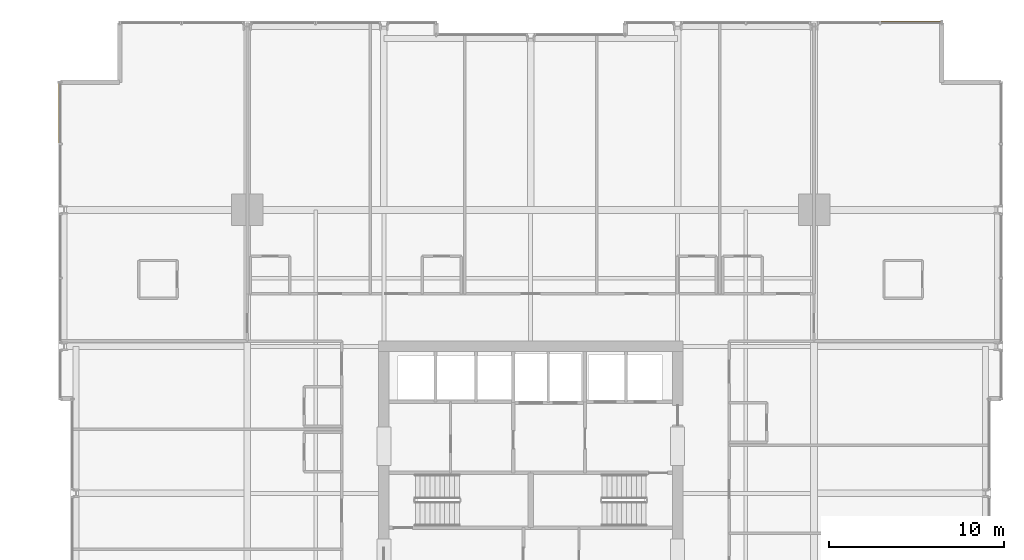
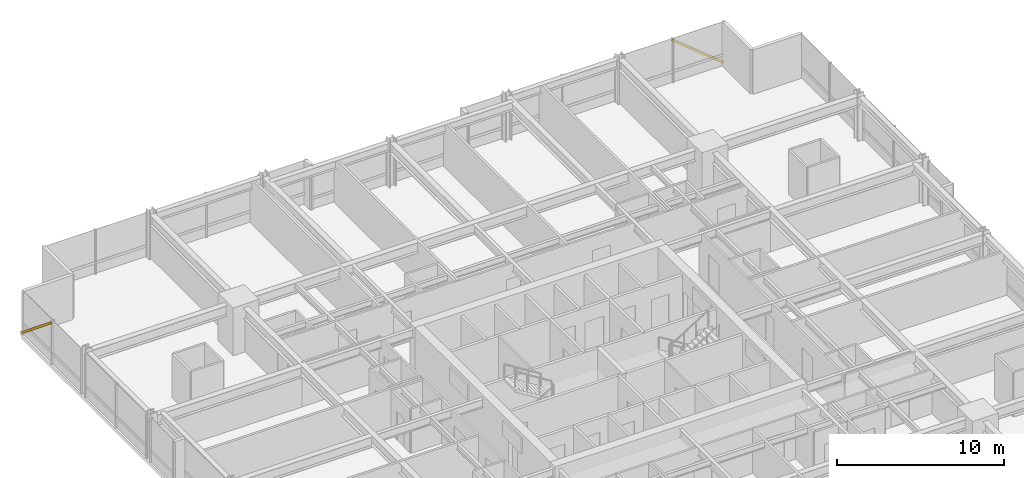
# One storey, part 38 of 38: 2 shading devices.
"""IFC4 building model written with IfcOpenShell, lengths in metres."""

from ifc_helpers import new_model, si_unit, direction, frame, origin, origin_2d, place, context, subcontext, project, spatial, hollow_rectangle, extrude, material, material_profile, profile_set, type_object, element, save


model = new_model("IFC4")

# Units and contexts
model_context = context("Model", 3, precision=1e-05, world=origin(), true_north=direction((0.0, 1.0)))
body_context = subcontext(model_context, "Body", "Model", "MODEL_VIEW")
ifc_project = project(units=[si_unit("LENGTHUNIT", "METRE"), si_unit("AREAUNIT", "SQUARE_METRE"), si_unit("VOLUMEUNIT", "CUBIC_METRE"), si_unit("PLANEANGLEUNIT", "RADIAN"), si_unit("MASSUNIT", "GRAM", prefix="KILO")], contexts=[model_context])

# Site, building, storey
site_placement = place(None, origin())
site = spatial("IfcSite", under=ifc_project, at=site_placement, CompositionType="ELEMENT")
building_placement = place(site_placement, origin())
building = spatial("IfcBuilding", under=site, at=building_placement, Name="Drelvath Grand Hotel", CompositionType="ELEMENT")
storey_placement = place(building_placement, frame((0.0, 0.0, 61.199951171875)))
storey = spatial("IfcBuildingStorey", under=building, at=storey_placement, Name="L14", CompositionType="ELEMENT", Elevation=61.199951171875)

# Shading devices
ifc_material = material(Name="Warm Bronze Anodised Aluminium", Category="aluminium")
ifc_material_profile = material_profile(ifc_material, hollow_rectangle(XDim=0.06494140625, YDim=0.159912109375, WallThickness=0.00390625, at=origin_2d()), Name="HSS160X65X4")
ifc_profile_set = profile_set([ifc_material_profile], Name="Warm Bronze Anodised Aluminium")
shading_device_type = type_object("IfcShadingDeviceType", Name="Diagonal Solar Fin Warm Bronze Anodised HSS160X65X4", PredefinedType="USERDEFINED", material=ifc_profile_set)
for number, where, z_axis, x_axis, name in (
    (1, (-26.9599609375, 50.5, 0.179931640625), (0.0, -0.775296156534, 0.631597870218), (1.0, 0.0, 0.0), "L14 Diagonal Anodised Fin CW02-L14-WN3"),
    (2, (23.5, 53.9599609375, 0.179931640625), (-0.775296156534, 0.0, 0.631597870218), (0.0, -1.0, 0.0), "L14 Diagonal Anodised Fin CW02-L14-NE3"),
):
    element("IfcShadingDevice", number, at=place(storey_placement, frame(where, z_axis=z_axis, x_axis=x_axis)), inside=storey, type_object=shading_device_type, Name=name, ObjectType="FIN", PredefinedType="USERDEFINED", context=body_context, shape_type="SweptSolid", body=[
        extrude(hollow_rectangle(XDim=0.06494140625, YDim=0.159912109375, WallThickness=0.00390625, at=origin_2d()), origin(), (0.0, 0.0, 1.0), 4.56005859375),
    ])

save(model, "model.ifc")
